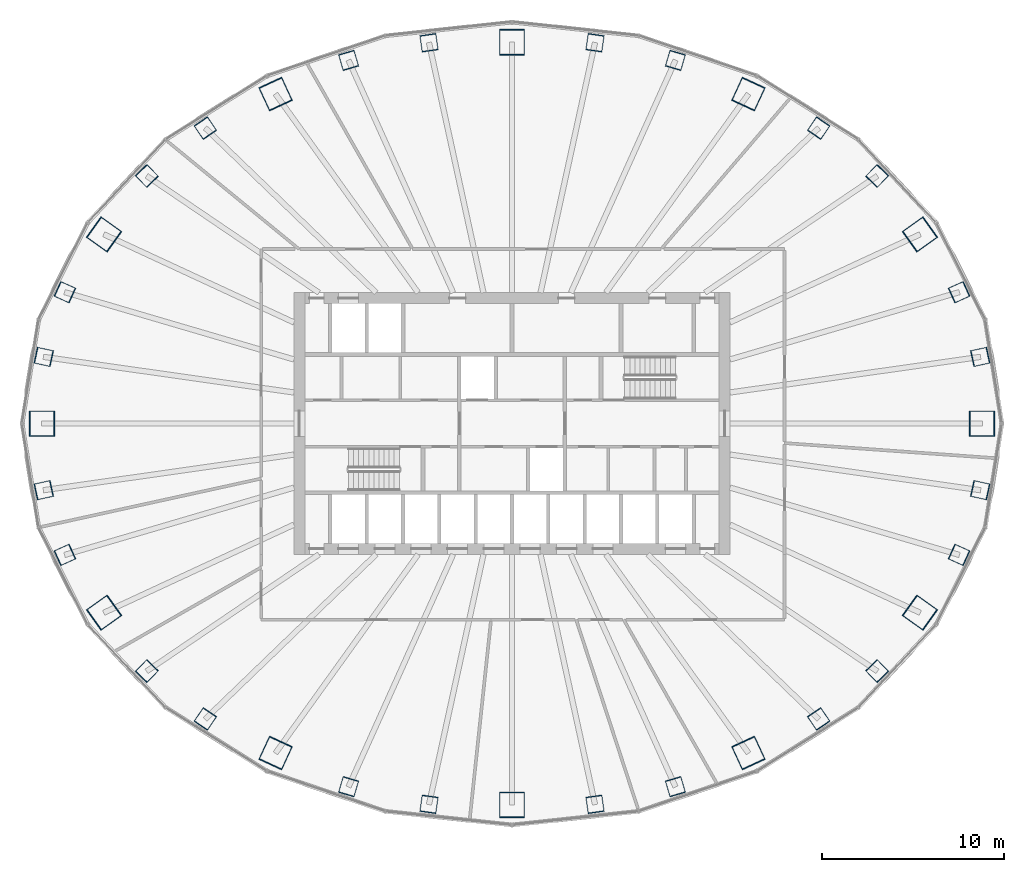
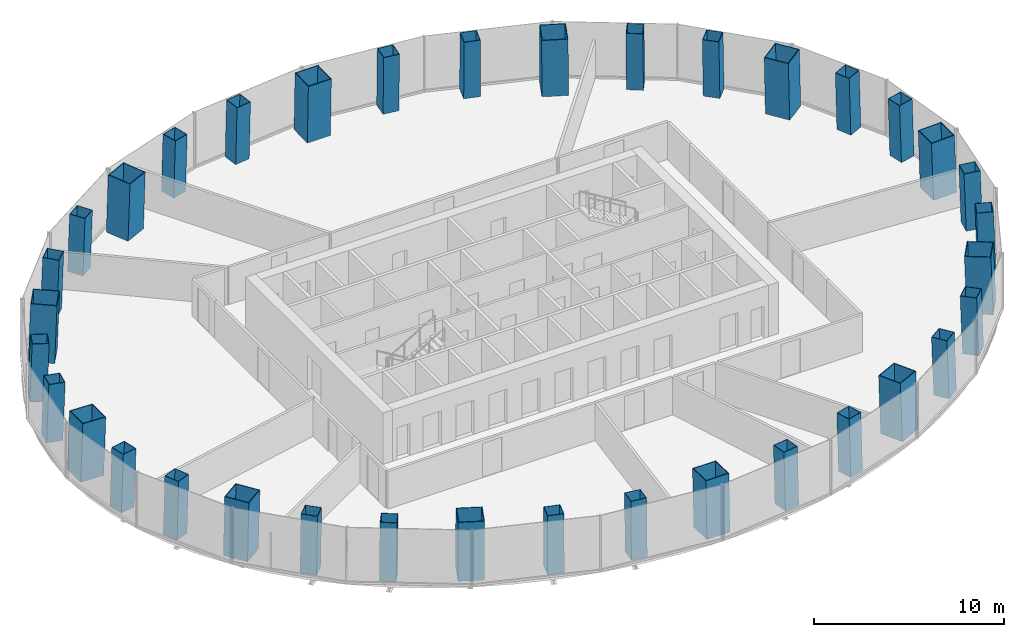
# One storey, part 1 of 11: 36 columns.
"""IFC4 building model written with IfcOpenShell, lengths in metres."""

from ifc_helpers import new_model, si_unit, direction, frame, origin, origin_2d, place, context, subcontext, project, spatial, hollow_rectangle, extrude, material, material_profile, profile_set, type_object, element, save


model = new_model("IFC4")

# Units and contexts
model_context = context("Model", 3, precision=1e-05, world=origin(), true_north=direction((0.0, 1.0)))
body_context = subcontext(model_context, "Body", "Model", "MODEL_VIEW")
ifc_project = project(units=[si_unit("LENGTHUNIT", "METRE"), si_unit("AREAUNIT", "SQUARE_METRE"), si_unit("VOLUMEUNIT", "CUBIC_METRE"), si_unit("PLANEANGLEUNIT", "RADIAN"), si_unit("MASSUNIT", "GRAM", prefix="KILO")], contexts=[model_context])

# Site, building, storey
site_placement = place(None, origin())
site = spatial("IfcSite", under=ifc_project, at=site_placement, CompositionType="ELEMENT")
building_placement = place(site_placement, origin())
building = spatial("IfcBuilding", under=site, at=building_placement, Name="Siaravel Broadcast Tower", CompositionType="ELEMENT")
storey_placement = place(building_placement, frame((0.0, 0.0, 74.10009765625)))
storey = spatial("IfcBuildingStorey", under=building, at=storey_placement, Name="L17", CompositionType="ELEMENT", Elevation=74.10009765625)

# Columns
ifc_material = material(Name="Concrete C70/85", Category="concrete")
ifc_material_profile_1 = material_profile(ifc_material, hollow_rectangle(XDim=1.39990234375, YDim=1.39990234375, WallThickness=0.0400390625, at=origin_2d()))
ifc_profile_set_1 = profile_set([ifc_material_profile_1], Name="Concrete C70/85")
column_type_1 = type_object("IfcColumnType", Name="COL-CFT BOX 1400x1400x40", PredefinedType="COLUMN", material=ifc_profile_set_1)
column_1_placement = place(storey_placement, frame((25.877685546875, 0.0, 0.0), z_axis=(-0.034621265, 0.0, 0.999400504), x_axis=(0.0, -1.0, 0.0)))
element("IfcColumn", 1, at=column_1_placement, inside=storey, type_object=column_type_1, Name="Megacolumn MC01", PredefinedType="COLUMN", context=body_context, shape_type="SweptSolid", body=[
    extrude(hollow_rectangle(XDim=1.39990234375, YDim=1.39990234375, WallThickness=0.0400390625, at=origin_2d()), origin(), (0.0, 0.0, 1.0), 3.7021484375),
])
column_2_placement = place(storey_placement, frame((22.464111328125, 10.4150390625, 0.0), z_axis=(-0.029940695, -0.014113015, 0.999452039), x_axis=(0.581204941, -0.813735683, 0.00592066)))
element("IfcColumn", 2, at=column_2_placement, inside=storey, type_object=column_type_1, Name="Megacolumn MC02", PredefinedType="COLUMN", context=body_context, shape_type="SweptSolid", body=[
    extrude(hollow_rectangle(XDim=1.39990234375, YDim=1.39990234375, WallThickness=0.0400390625, at=origin_2d()), origin(), (0.0, 0.0, 1.0), 3.701904296875),
])
column_3_placement = place(storey_placement, frame((13.0185546875, 18.142822265625, 0.0), z_axis=(-0.017280237, -0.024535299, 0.999549605), x_axis=(0.90768638, -0.419614538, 0.005392097)))
element("IfcColumn", 3, at=column_3_placement, inside=storey, type_object=column_type_1, Name="Megacolumn MC03", PredefinedType="COLUMN", context=body_context, shape_type="SweptSolid", body=[
    extrude(hollow_rectangle(XDim=1.39990234375, YDim=1.39990234375, WallThickness=0.0400390625, at=origin_2d()), origin(), (0.0, 0.0, 1.0), 3.70166015625),
])
column_4_placement = place(storey_placement, frame((0.0, 20.997802734375, 0.0), z_axis=(0.0, -0.02836206, 0.999597716), x_axis=(1.0, 0.0, 0.0)))
element("IfcColumn", 4, at=column_4_placement, inside=storey, type_object=column_type_1, Name="Megacolumn MC04", PredefinedType="COLUMN", context=body_context, shape_type="SweptSolid", body=[
    extrude(hollow_rectangle(XDim=1.39990234375, YDim=1.39990234375, WallThickness=0.0400390625, at=origin_2d()), origin(), (0.0, 0.0, 1.0), 3.701416015625),
])
column_5_placement = place(storey_placement, frame((-13.0185546875, 18.142822265625, 0.0), z_axis=(0.017280237, -0.024535299, 0.999549605), x_axis=(0.90768638, 0.419614538, -0.005392097)))
element("IfcColumn", 5, at=column_5_placement, inside=storey, type_object=column_type_1, Name="Megacolumn MC05", PredefinedType="COLUMN", context=body_context, shape_type="SweptSolid", body=[
    extrude(hollow_rectangle(XDim=1.39990234375, YDim=1.39990234375, WallThickness=0.0400390625, at=origin_2d()), origin(), (0.0, 0.0, 1.0), 3.70166015625),
])
column_6_placement = place(storey_placement, frame((-22.464111328125, 10.4150390625, 0.0), z_axis=(0.029940695, -0.014113015, 0.999452039), x_axis=(0.581204941, 0.813735683, -0.00592066)))
element("IfcColumn", 6, at=column_6_placement, inside=storey, type_object=column_type_1, Name="Megacolumn MC06", PredefinedType="COLUMN", context=body_context, shape_type="SweptSolid", body=[
    extrude(hollow_rectangle(XDim=1.39990234375, YDim=1.39990234375, WallThickness=0.0400390625, at=origin_2d()), origin(), (0.0, 0.0, 1.0), 3.701904296875),
])
column_7_placement = place(storey_placement, frame((-25.877685546875, 0.0, 0.0), z_axis=(0.034621265, 0.0, 0.999400504), x_axis=(0.0, 1.0, 0.0)))
element("IfcColumn", 7, at=column_7_placement, inside=storey, type_object=column_type_1, Name="Megacolumn MC07", PredefinedType="COLUMN", context=body_context, shape_type="SweptSolid", body=[
    extrude(hollow_rectangle(XDim=1.39990234375, YDim=1.39990234375, WallThickness=0.0400390625, at=origin_2d()), origin(), (0.0, 0.0, 1.0), 3.7021484375),
])
column_8_placement = place(storey_placement, frame((-22.464111328125, -10.4150390625, 0.0), z_axis=(0.029940695, 0.014113015, 0.999452039), x_axis=(-0.581204941, 0.813735683, 0.00592066)))
element("IfcColumn", 8, at=column_8_placement, inside=storey, type_object=column_type_1, Name="Megacolumn MC08", PredefinedType="COLUMN", context=body_context, shape_type="SweptSolid", body=[
    extrude(hollow_rectangle(XDim=1.39990234375, YDim=1.39990234375, WallThickness=0.0400390625, at=origin_2d()), origin(), (0.0, 0.0, 1.0), 3.701904296875),
])
column_9_placement = place(storey_placement, frame((-13.0185546875, -18.142822265625, 0.0), z_axis=(0.017280237, 0.024535299, 0.999549605), x_axis=(-0.90768638, 0.419614538, 0.005392097)))
element("IfcColumn", 9, at=column_9_placement, inside=storey, type_object=column_type_1, Name="Megacolumn MC09", PredefinedType="COLUMN", context=body_context, shape_type="SweptSolid", body=[
    extrude(hollow_rectangle(XDim=1.39990234375, YDim=1.39990234375, WallThickness=0.0400390625, at=origin_2d()), origin(), (0.0, 0.0, 1.0), 3.70166015625),
])
column_10_placement = place(storey_placement, frame((0.0, -20.997802734375, 0.0), z_axis=(0.0, 0.02836206, 0.999597716), x_axis=(-1.0, 0.0, 0.0)))
element("IfcColumn", 10, at=column_10_placement, inside=storey, type_object=column_type_1, Name="Megacolumn MC10", PredefinedType="COLUMN", context=body_context, shape_type="SweptSolid", body=[
    extrude(hollow_rectangle(XDim=1.39990234375, YDim=1.39990234375, WallThickness=0.0400390625, at=origin_2d()), origin(), (0.0, 0.0, 1.0), 3.701416015625),
])
column_11_placement = place(storey_placement, frame((13.0185546875, -18.142822265625, 0.0), z_axis=(-0.017280237, 0.024535299, 0.999549605), x_axis=(-0.90768638, -0.419614538, -0.005392097)))
element("IfcColumn", 11, at=column_11_placement, inside=storey, type_object=column_type_1, Name="Megacolumn MC11", PredefinedType="COLUMN", context=body_context, shape_type="SweptSolid", body=[
    extrude(hollow_rectangle(XDim=1.39990234375, YDim=1.39990234375, WallThickness=0.0400390625, at=origin_2d()), origin(), (0.0, 0.0, 1.0), 3.70166015625),
])
column_12_placement = place(storey_placement, frame((22.464111328125, -10.4150390625, 0.0), z_axis=(-0.029940695, 0.014113015, 0.999452039), x_axis=(-0.581204941, -0.813735683, -0.00592066)))
element("IfcColumn", 12, at=column_12_placement, inside=storey, type_object=column_type_1, Name="Megacolumn MC12", PredefinedType="COLUMN", context=body_context, shape_type="SweptSolid", body=[
    extrude(hollow_rectangle(XDim=1.39990234375, YDim=1.39990234375, WallThickness=0.0400390625, at=origin_2d()), origin(), (0.0, 0.0, 1.0), 3.701904296875),
])
ifc_material_profile_2 = material_profile(ifc_material, hollow_rectangle(XDim=0.89990234375, YDim=0.89990234375, WallThickness=0.02490234375, at=origin_2d()))
ifc_profile_set_2 = profile_set([ifc_material_profile_2], Name="Concrete C70/85")
column_type_2 = type_object("IfcColumnType", Name="COL-CFT BOX 900x900x25", PredefinedType="COLUMN", material=ifc_profile_set_2)
for number, where, z_axis, x_axis, name in (
    (13, (25.78564453125, 3.6689453125, 0.0), (-0.034028034, -0.004945935, 0.99940864), (0.213346481, -0.976973581, 0.00242915), "Perimeter column C01"),
    (14, (24.61962890625, 7.23291015625, 0.0), (-0.032511791, -0.009694185, 0.999424337), (0.409678838, -0.912218828, 0.004478753), "Perimeter column C02"),
):
    element("IfcColumn", number, at=place(storey_placement, frame(where, z_axis=z_axis, x_axis=x_axis)), inside=storey, type_object=column_type_2, Name=name, PredefinedType="COLUMN", context=body_context, shape_type="SweptSolid", body=[
        extrude(hollow_rectangle(XDim=0.89990234375, YDim=0.89990234375, WallThickness=0.02490234375, at=origin_2d()), origin(), (0.0, 0.0, 1.0), 3.7021484375),
    ])
column_13_placement = place(storey_placement, frame((20.107177734375, 13.631591796875, 0.0), z_axis=(-0.026512179, -0.018202391, 0.999482755), x_axis=(0.719584247, -0.694375269, 0.006441788)))
element("IfcColumn", 15, at=column_13_placement, inside=storey, type_object=column_type_2, Name="Perimeter column C03", PredefinedType="COLUMN", context=body_context, shape_type="SweptSolid", body=[
    extrude(hollow_rectangle(XDim=0.89990234375, YDim=0.89990234375, WallThickness=0.02490234375, at=origin_2d()), origin(), (0.0, 0.0, 1.0), 3.701904296875),
])
column_14_placement = place(storey_placement, frame((16.8876953125, 16.2685546875, 0.0), z_axis=(-0.022226156, -0.021698532, 0.999517469), x_axis=(0.827793344, -0.560998557, 0.006228824)))
element("IfcColumn", 16, at=column_14_placement, inside=storey, type_object=column_type_2, Name="Perimeter column C04", PredefinedType="COLUMN", context=body_context, shape_type="SweptSolid", body=[
    extrude(hollow_rectangle(XDim=0.89990234375, YDim=0.89990234375, WallThickness=0.02490234375, at=origin_2d()), origin(), (0.0, 0.0, 1.0), 3.70166015625),
])
for number, where, z_axis, x_axis, name in (
    (17, (8.998291015625, 19.998291015625, 0.0), (-0.011806287, -0.026580634, 0.999576951), (0.9596585, -0.281141734, 0.00385871), "Perimeter column C05"),
    (18, (4.5703125, 20.97021484375, 0.0), (-0.006002173, -0.027900212, 0.999592693), (0.990103454, -0.140324749, 0.002028508), "Perimeter column C06"),
    (19, (-4.5703125, 20.97021484375, 0.0), (0.006002173, -0.027900212, 0.999592693), (0.990103454, 0.140324749, -0.002028508), "Perimeter column C07"),
    (20, (-8.998291015625, 19.998291015625, 0.0), (0.011806287, -0.026580634, 0.999576951), (0.9596585, 0.281141734, -0.00385871), "Perimeter column C08"),
):
    element("IfcColumn", number, at=place(storey_placement, frame(where, z_axis=z_axis, x_axis=x_axis)), inside=storey, type_object=column_type_2, Name=name, PredefinedType="COLUMN", context=body_context, shape_type="SweptSolid", body=[
        extrude(hollow_rectangle(XDim=0.89990234375, YDim=0.89990234375, WallThickness=0.02490234375, at=origin_2d()), origin(), (0.0, 0.0, 1.0), 3.701416015625),
    ])
column_15_placement = place(storey_placement, frame((-16.8876953125, 16.2685546875, 0.0), z_axis=(0.022226156, -0.021698532, 0.999517469), x_axis=(0.827793344, 0.560998557, -0.006228824)))
element("IfcColumn", 21, at=column_15_placement, inside=storey, type_object=column_type_2, Name="Perimeter column C09", PredefinedType="COLUMN", context=body_context, shape_type="SweptSolid", body=[
    extrude(hollow_rectangle(XDim=0.89990234375, YDim=0.89990234375, WallThickness=0.02490234375, at=origin_2d()), origin(), (0.0, 0.0, 1.0), 3.70166015625),
])
column_16_placement = place(storey_placement, frame((-20.107177734375, 13.631591796875, 0.0), z_axis=(0.026512179, -0.018202391, 0.999482755), x_axis=(0.719584247, 0.694375269, -0.006441788)))
element("IfcColumn", 22, at=column_16_placement, inside=storey, type_object=column_type_2, Name="Perimeter column C10", PredefinedType="COLUMN", context=body_context, shape_type="SweptSolid", body=[
    extrude(hollow_rectangle(XDim=0.89990234375, YDim=0.89990234375, WallThickness=0.02490234375, at=origin_2d()), origin(), (0.0, 0.0, 1.0), 3.701904296875),
])
for number, where, z_axis, x_axis, name in (
    (23, (-24.61962890625, 7.23291015625, 0.0), (0.032511791, -0.009694185, 0.999424337), (0.409678838, 0.912218828, -0.004478753), "Perimeter column C11"),
    (24, (-25.78564453125, 3.6689453125, 0.0), (0.034028034, -0.004945935, 0.99940864), (0.213346481, 0.976973581, -0.00242915), "Perimeter column C12"),
    (25, (-25.78564453125, -3.6689453125, 0.0), (0.034028034, 0.004945935, 0.99940864), (-0.213346481, 0.976973581, 0.00242915), "Perimeter column C13"),
    (26, (-24.61962890625, -7.23291015625, 0.0), (0.032511791, 0.009694185, 0.999424337), (-0.409678838, 0.912218828, 0.004478753), "Perimeter column C14"),
):
    element("IfcColumn", number, at=place(storey_placement, frame(where, z_axis=z_axis, x_axis=x_axis)), inside=storey, type_object=column_type_2, Name=name, PredefinedType="COLUMN", context=body_context, shape_type="SweptSolid", body=[
        extrude(hollow_rectangle(XDim=0.89990234375, YDim=0.89990234375, WallThickness=0.02490234375, at=origin_2d()), origin(), (0.0, 0.0, 1.0), 3.7021484375),
    ])
column_17_placement = place(storey_placement, frame((-20.107177734375, -13.631591796875, 0.0), z_axis=(0.026512179, 0.018202391, 0.999482755), x_axis=(-0.719584247, 0.694375269, 0.006441788)))
element("IfcColumn", 27, at=column_17_placement, inside=storey, type_object=column_type_2, Name="Perimeter column C15", PredefinedType="COLUMN", context=body_context, shape_type="SweptSolid", body=[
    extrude(hollow_rectangle(XDim=0.89990234375, YDim=0.89990234375, WallThickness=0.02490234375, at=origin_2d()), origin(), (0.0, 0.0, 1.0), 3.701904296875),
])
column_18_placement = place(storey_placement, frame((-16.8876953125, -16.2685546875, 0.0), z_axis=(0.022226156, 0.021698532, 0.999517469), x_axis=(-0.827793344, 0.560998557, 0.006228824)))
element("IfcColumn", 28, at=column_18_placement, inside=storey, type_object=column_type_2, Name="Perimeter column C16", PredefinedType="COLUMN", context=body_context, shape_type="SweptSolid", body=[
    extrude(hollow_rectangle(XDim=0.89990234375, YDim=0.89990234375, WallThickness=0.02490234375, at=origin_2d()), origin(), (0.0, 0.0, 1.0), 3.70166015625),
])
for number, where, z_axis, x_axis, name in (
    (29, (-8.998291015625, -19.998291015625, 0.0), (0.011806287, 0.026580634, 0.999576951), (-0.9596585, 0.281141734, 0.00385871), "Perimeter column C17"),
    (30, (-4.5703125, -20.97021484375, 0.0), (0.006002173, 0.027900212, 0.999592693), (-0.990103454, 0.140324749, 0.002028508), "Perimeter column C18"),
    (31, (4.5703125, -20.97021484375, 0.0), (-0.006002173, 0.027900212, 0.999592693), (-0.990103454, -0.140324749, -0.002028508), "Perimeter column C19"),
    (32, (8.998291015625, -19.998291015625, 0.0), (-0.011806287, 0.026580634, 0.999576951), (-0.9596585, -0.281141734, -0.00385871), "Perimeter column C20"),
):
    element("IfcColumn", number, at=place(storey_placement, frame(where, z_axis=z_axis, x_axis=x_axis)), inside=storey, type_object=column_type_2, Name=name, PredefinedType="COLUMN", context=body_context, shape_type="SweptSolid", body=[
        extrude(hollow_rectangle(XDim=0.89990234375, YDim=0.89990234375, WallThickness=0.02490234375, at=origin_2d()), origin(), (0.0, 0.0, 1.0), 3.701416015625),
    ])
column_19_placement = place(storey_placement, frame((16.8876953125, -16.2685546875, 0.0), z_axis=(-0.022226156, 0.021698532, 0.999517469), x_axis=(-0.827793344, -0.560998557, -0.006228824)))
element("IfcColumn", 33, at=column_19_placement, inside=storey, type_object=column_type_2, Name="Perimeter column C21", PredefinedType="COLUMN", context=body_context, shape_type="SweptSolid", body=[
    extrude(hollow_rectangle(XDim=0.89990234375, YDim=0.89990234375, WallThickness=0.02490234375, at=origin_2d()), origin(), (0.0, 0.0, 1.0), 3.70166015625),
])
column_20_placement = place(storey_placement, frame((20.107177734375, -13.631591796875, 0.0), z_axis=(-0.026512179, 0.018202391, 0.999482755), x_axis=(-0.719584247, -0.694375269, -0.006441788)))
element("IfcColumn", 34, at=column_20_placement, inside=storey, type_object=column_type_2, Name="Perimeter column C22", PredefinedType="COLUMN", context=body_context, shape_type="SweptSolid", body=[
    extrude(hollow_rectangle(XDim=0.89990234375, YDim=0.89990234375, WallThickness=0.02490234375, at=origin_2d()), origin(), (0.0, 0.0, 1.0), 3.701904296875),
])
for number, where, z_axis, x_axis, name in (
    (35, (24.61962890625, -7.23291015625, 0.0), (-0.032511791, 0.009694185, 0.999424337), (-0.409678838, -0.912218828, -0.004478753), "Perimeter column C23"),
    (36, (25.78564453125, -3.6689453125, 0.0), (-0.034028034, 0.004945935, 0.99940864), (-0.213346481, -0.976973581, -0.00242915), "Perimeter column C24"),
):
    element("IfcColumn", number, at=place(storey_placement, frame(where, z_axis=z_axis, x_axis=x_axis)), inside=storey, type_object=column_type_2, Name=name, PredefinedType="COLUMN", context=body_context, shape_type="SweptSolid", body=[
        extrude(hollow_rectangle(XDim=0.89990234375, YDim=0.89990234375, WallThickness=0.02490234375, at=origin_2d()), origin(), (0.0, 0.0, 1.0), 3.7021484375),
    ])

save(model, "model.ifc")
